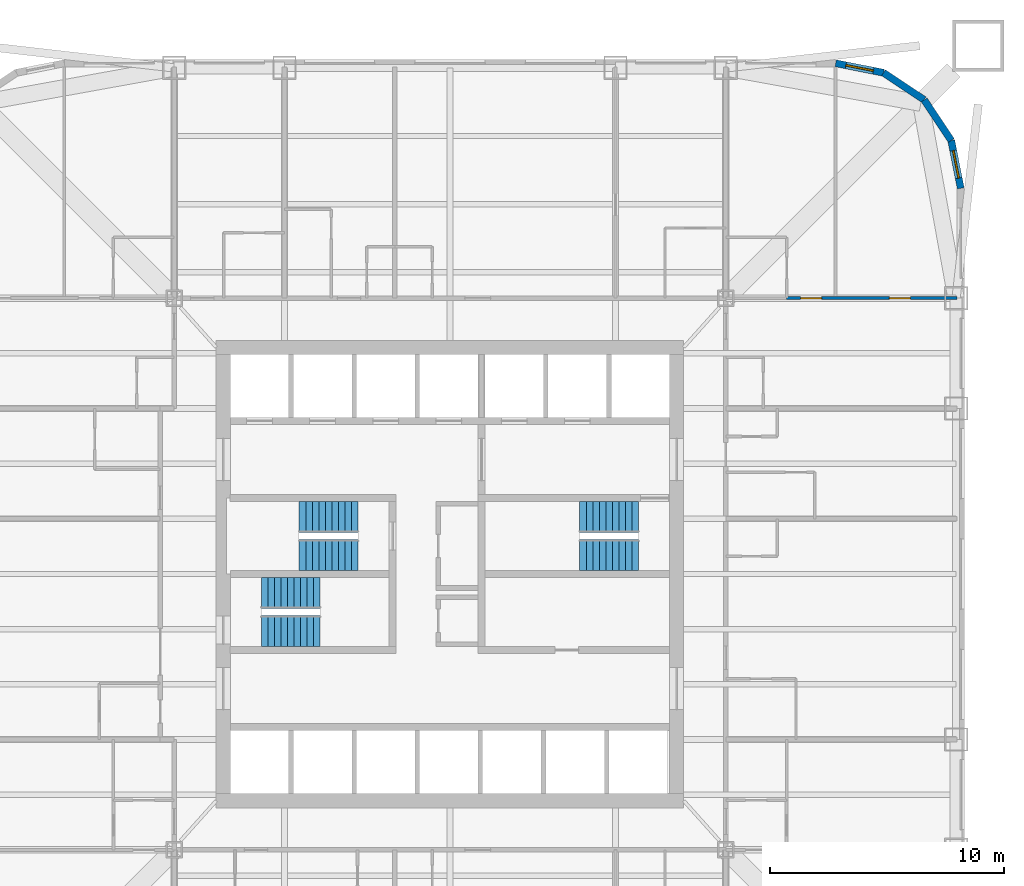
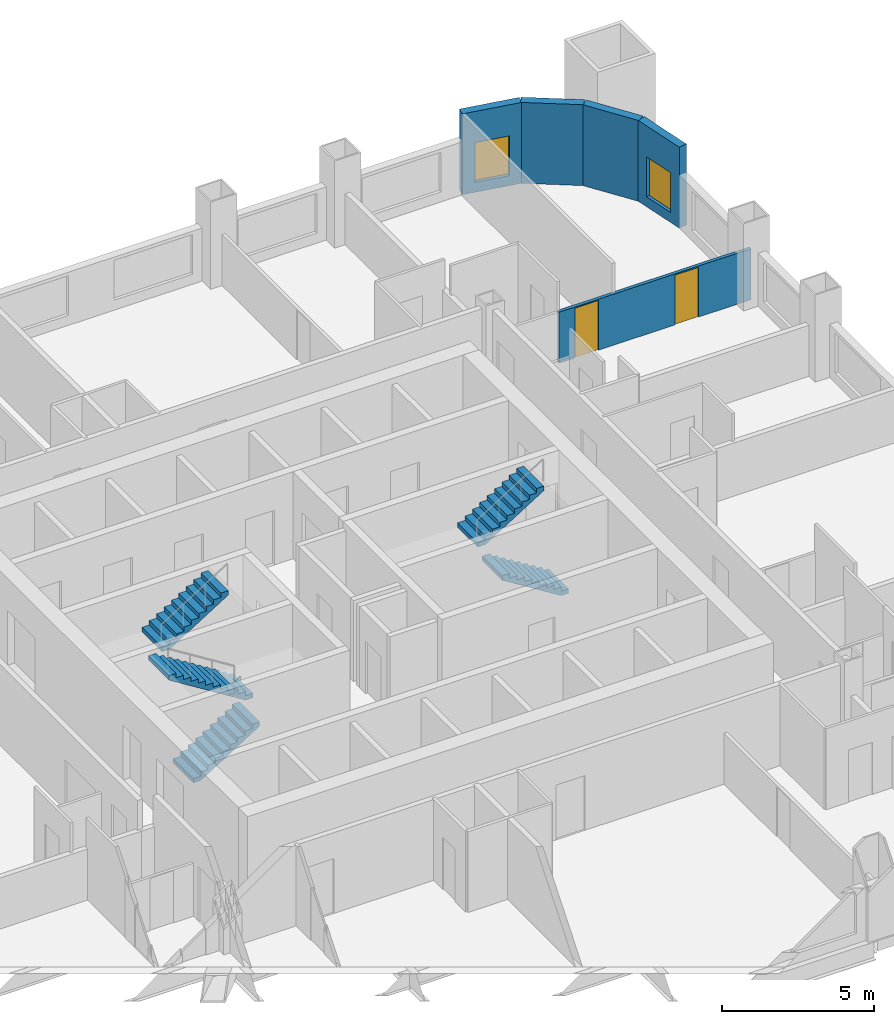
# One storey, part 8 of 9: 6 stair flights, 5 walls, 2 doors, 2 windows, 4 openings, 3 elements without a shape of their own.
"""IFC4 building model written with IfcOpenShell, lengths in metres."""

import ifcopenshell
import ifcopenshell.guid

model = None  # the IFC model being written
_history = None  # IfcOwnerHistory: only IFC2X3 demands one
_inside = {}  # id of a spatial element -> (the spatial element, [elements in it])
_under = {}  # id of a project, library or spatial element -> (it, [spatial elements below it])
_declared = {}  # id of a project -> (the project, [libraries it declares])
_typed = {}  # id of a type object -> (the type object, [elements of that type])
_made_of = {}  # id of a material, layer set ... -> (it, [elements and type objects made of it])


def new_model(schema):
    """Start an empty IFC model of exactly this schema.

    Asked for "IFC4X3", IfcOpenShell would pick the latest addendum, in which some entities
    have other attributes; the version numbers below select the first issue.
    IFC2X3 requires an IfcOwnerHistory on every rooted entity: one is made here for all.
    """
    global model, _history
    if schema == "IFC4X3":
        model = ifcopenshell.file(schema_version=(4, 3, 0, 0))
    else:
        model = ifcopenshell.file(schema=schema)
    _inside.clear()
    _under.clear()
    _declared.clear()
    _typed.clear()
    _made_of.clear()
    _history = None
    if model.schema == "IFC2X3":
        org = make("IfcOrganization", Name="unknown")
        user = make(
            "IfcPersonAndOrganization",
            ThePerson=make("IfcPerson", FamilyName="unknown"),
            TheOrganization=org,
        )
        app = make(
            "IfcApplication",
            ApplicationDeveloper=org,
            Version="unknown",
            ApplicationFullName="unknown",
            ApplicationIdentifier="unknown",
        )
        _history = make(
            "IfcOwnerHistory",
            OwningUser=user,
            OwningApplication=app,
            ChangeAction="ADDED",
            CreationDate=0,
        )
    return model


def make(cls, **values):
    """One entity of the class cls with the attributes given. An attribute that is None is left unset."""
    return model.create_entity(
        cls, **{name: value for name, value in values.items() if value is not None}
    )


def rooted(cls, **values):
    """An entity with a GlobalId (a new one), such as an element, a storey or a relation."""
    return make(cls, GlobalId=ifcopenshell.guid.new(), OwnerHistory=_history, **values)


def si_unit(unit_type, name, prefix=None):
    """IfcSIUnit, for example si_unit("LENGTHUNIT", "METRE", prefix="MILLI")."""
    return make("IfcSIUnit", UnitType=unit_type, Prefix=prefix, Name=name)


def assignment(units):
    """IfcUnitAssignment: the units of a project."""
    return None if units is None else make("IfcUnitAssignment", Units=units)


def point(xyz):
    """IfcCartesianPoint."""
    return None if xyz is None else make("IfcCartesianPoint", Coordinates=xyz)


def direction(xyz):
    """IfcDirection."""
    return None if xyz is None else make("IfcDirection", DirectionRatios=xyz)


def frame(location, z_axis=None, x_axis=None):
    """IfcAxis2Placement3D, a coordinate frame: its origin and axes. An axis left out is left unset."""
    return make(
        "IfcAxis2Placement3D",
        Location=point(location),
        Axis=direction(z_axis),
        RefDirection=direction(x_axis),
    )


def frame_2d(location, x_axis=None):
    """IfcAxis2Placement2D, a coordinate frame in the plane: its origin and x axis."""
    return make(
        "IfcAxis2Placement2D", Location=point(location), RefDirection=direction(x_axis)
    )


def origin():
    """The frame at (0, 0, 0) with its axes left unset."""
    return frame((0.0, 0.0, 0.0))


def place(relative_to, where):
    """IfcLocalPlacement: puts the frame where relative to a parent placement (None: the world)."""
    return make(
        "IfcLocalPlacement", PlacementRelTo=relative_to, RelativePlacement=where
    )


def context(
    kind, dimensions, precision=None, world=None, true_north=None, identifier=None
):
    """IfcGeometricRepresentationContext, for example the 3D "Model" context."""
    return make(
        "IfcGeometricRepresentationContext",
        ContextIdentifier=identifier,
        ContextType=kind,
        CoordinateSpaceDimension=dimensions,
        Precision=precision,
        WorldCoordinateSystem=world,
        TrueNorth=true_north,
    )


def subcontext(parent, identifier, kind, view, scale=None):
    """IfcGeometricRepresentationSubContext, for example "Body" below "Model"."""
    return make(
        "IfcGeometricRepresentationSubContext",
        ContextIdentifier=identifier,
        ContextType=kind,
        ParentContext=parent,
        TargetScale=scale,
        TargetView=view,
    )


def project(units=None, contexts=None):
    """IfcProject with its units and contexts."""
    return rooted(
        "IfcProject",
        Name="project",
        RepresentationContexts=contexts,
        UnitsInContext=assignment(units),
    )


def spatial(cls, under=None, at=None, **own):
    """A site, building, storey or space (cls), placed at a placement, below another one or the project."""
    s = rooted(cls, ObjectPlacement=at, **own)
    if under is not None:
        _under.setdefault(under.id(), (under, []))[1].append(s)
    return s


def polyline(points):
    """IfcPolyline through the points."""
    return make("IfcPolyline", Points=[point(p) for p in points])


def profile(cls, at=None, kind="AREA", **sizes):
    """A parametric profile (cls). Its sizes go by their IFC names, for example OverallWidth=200.0."""
    return make(cls, ProfileType=kind, Position=at, **sizes)


def rectangle(**sizes):
    """IfcRectangleProfileDef."""
    return profile("IfcRectangleProfileDef", **sizes)


def outline(outer, holes=None, kind="AREA"):
    """IfcArbitraryClosedProfileDef: a profile drawn as a closed curve; with holes, ...WithVoids."""
    if holes is None:
        return make("IfcArbitraryClosedProfileDef", ProfileType=kind, OuterCurve=outer)
    return make(
        "IfcArbitraryProfileDefWithVoids",
        ProfileType=kind,
        OuterCurve=outer,
        InnerCurves=holes,
    )


def extrude(swept, where, along, depth):
    """IfcExtrudedAreaSolid: the profile swept, set in the frame where, extruded along a direction by depth."""
    return make(
        "IfcExtrudedAreaSolid",
        SweptArea=swept,
        Position=where,
        ExtrudedDirection=direction(along),
        Depth=depth,
    )


def shape(context_of_items, identifier, shape_type, items):
    """IfcShapeRepresentation: the items that make up one representation, for example the "Body"."""
    return make(
        "IfcShapeRepresentation",
        ContextOfItems=context_of_items,
        RepresentationIdentifier=identifier,
        RepresentationType=shape_type,
        Items=items,
    )


def material(Name=None, Category=None):
    """IfcMaterial."""
    return make("IfcMaterial", Name=Name, Category=Category)


def layer(
    of_material, thickness, ventilated=None, Name=None, Category=None, Priority=None
):
    """IfcMaterialLayer: one layer of a wall or slab, of a material (None: an air gap)."""
    return make(
        "IfcMaterialLayer",
        Material=of_material,
        LayerThickness=thickness,
        IsVentilated=ventilated,
        Name=Name,
        Category=Category,
        Priority=Priority,
    )


def layer_set(layers, Name=None):
    """IfcMaterialLayerSet."""
    return make("IfcMaterialLayerSet", MaterialLayers=layers, LayerSetName=Name)


def made_of(thing, what):
    """Note that an element or type object is made of a material, layer set ...; save() writes the relation."""
    if what is not None:
        _made_of.setdefault(what.id(), (what, []))[1].append(thing)
    return thing


def type_object(cls, material=None, **own):
    """A type object (cls), such as IfcWallType, which elements share."""
    return made_of(rooted(cls, **own), material)


def element(
    cls,
    number,
    at=None,
    inside=None,
    cuts=None,
    type_object=None,
    material=None,
    context=None,
    identifier="Body",
    shape_type=None,
    held_by="IfcProductDefinitionShape",
    body=None,
    shapes=None,
    **own,
):
    """One element of the class cls, such as IfcWall. Its Tag is "e" and its number.

    at: its placement. inside: the storey or other place that contains it. cuts: it is an
    opening in that element (IfcRelVoidsElement). A single representation is given by context,
    identifier, shape_type and body (its items); several are given by shapes. held_by: the class
    of the entity that holds the representations. save() writes the other relations.
    """
    e = rooted(cls, Tag="e%d" % number, ObjectPlacement=at, **own)
    if body is not None:
        shapes = [shape(context, identifier, shape_type, body)]
    if shapes is not None:
        e.Representation = make(held_by, Representations=shapes)
    if inside is not None:
        _inside.setdefault(inside.id(), (inside, []))[1].append(e)
    if cuts is not None:
        rooted(
            "IfcRelVoidsElement", RelatingBuildingElement=cuts, RelatedOpeningElement=e
        )
    if type_object is not None:
        _typed.setdefault(type_object.id(), (type_object, []))[1].append(e)
    return made_of(e, material)


def fill(opening, filler):
    """IfcRelFillsElement: the door or window that sits in an opening."""
    return rooted(
        "IfcRelFillsElement",
        RelatingOpeningElement=opening,
        RelatedBuildingElement=filler,
    )


def aggregate(whole, parts):
    """IfcRelAggregates: a whole, such as a stair, and the parts it consists of."""
    return rooted("IfcRelAggregates", RelatingObject=whole, RelatedObjects=parts)


def save(model, path):
    """Write the relations noted so far, then the file.

    IfcRelAggregates (storeys below a building ...), IfcRelContainedInSpatialStructure (elements
    in a storey), IfcRelDefinesByType, IfcRelAssociatesMaterial and IfcRelDeclares: one each for
    every whole, place, type object, material and project.
    """
    for whole, parts in _under.values():
        aggregate(whole, parts)
    for where, things in _inside.values():
        rooted(
            "IfcRelContainedInSpatialStructure",
            RelatedElements=things,
            RelatingStructure=where,
        )
    for kind, things in _typed.values():
        rooted("IfcRelDefinesByType", RelatedObjects=things, RelatingType=kind)
    for what, things in _made_of.values():
        rooted("IfcRelAssociatesMaterial", RelatedObjects=things, RelatingMaterial=what)
    for by, libraries in _declared.values():
        rooted("IfcRelDeclares", RelatingContext=by, RelatedDefinitions=libraries)
    model.write(path)


model = new_model("IFC4")

# Units and contexts
model_context = context("Model", 3, precision=1e-05, world=origin(), true_north=direction((0.0, 1.0)))
body_context = subcontext(model_context, "Body", "Model", "MODEL_VIEW")
ifc_project = project(units=[si_unit("LENGTHUNIT", "METRE"), si_unit("AREAUNIT", "SQUARE_METRE"), si_unit("VOLUMEUNIT", "CUBIC_METRE"), si_unit("PLANEANGLEUNIT", "RADIAN"), si_unit("MASSUNIT", "GRAM", prefix="KILO")], contexts=[model_context])

# Site, building, storey
site_placement = place(None, origin())
site = spatial("IfcSite", under=ifc_project, at=site_placement, CompositionType="ELEMENT")
building_placement = place(site_placement, origin())
building = spatial("IfcBuilding", under=site, at=building_placement, Name="Turquesa Mirador Hotel Tower", CompositionType="ELEMENT")
storey_placement = place(building_placement, frame((0.0, 0.0, 84.5)))
storey = spatial("IfcBuildingStorey", under=building, at=storey_placement, Name="L22", CompositionType="ELEMENT", Elevation=84.5)

# Wall, opening, window
ifc_material_1 = material(Name="Limestone cladding on concrete block", Category="masonry")
ifc_layer_1 = layer(ifc_material_1, 0.300048828125)
ifc_layer_set_1 = layer_set([ifc_layer_1], Name="FACADE WALL 300 STONE SCREEN")
wall_type_1 = type_object("IfcWallType", Name="FACADE WALL 300 STONE SCREEN", PredefinedType="SOLIDWALL", material=ifc_layer_set_1)
wall_1_placement = place(storey_placement, frame((76.85009765625, 61.5, 0.0), z_axis=(0.0, 0.0, 1.0), x_axis=(-0.195081421501, 0.980787050784, 0.0)))
wall_1 = element("IfcWall", 1, at=wall_1_placement, inside=storey, type_object=wall_type_1, Name="Facade wall L22 05", PredefinedType="SOLIDWALL", context=body_context, shape_type="SweptSolid", body=[
    extrude(rectangle(XDim=2.08740234375, YDim=0.300048828125, at=frame_2d((1.043701171875, 0.0))), origin(), (0.0, 0.0, 1.0), 3.25),
])
opening_1_placement = place(wall_1_placement, frame((0.443603515625, 0.0, 0.39990234375)))
opening_1 = element("IfcOpeningElement", 2, at=opening_1_placement, cuts=wall_1, Name="Opening WN8", PredefinedType="OPENING", context=body_context, shape_type="SweptSolid", body=[
    extrude(rectangle(XDim=1.199951171875, YDim=1.60009765625, at=frame_2d((0.60009765625, 0.800048828125))), frame((0.0, 0.159912109375, 0.0), z_axis=(0.0, -1.0, 0.0), x_axis=(1.0, 0.0, 0.0)), (0.0, 0.0, 1.0), 0.320068359375),
])
ifc_material_2 = material(Name="Ceramic-fritted laminated glass", Category="glass")
window_type = type_object("IfcWindowType", Name="FRITTED CORNER WINDOW 1200X1600", PartitioningType="DOUBLE_PANEL_HORIZONTAL", PredefinedType="WINDOW", material=ifc_material_2)
window_1_placement = place(opening_1_placement, origin())
window_1 = element("IfcWindow", 3, at=window_1_placement, inside=storey, type_object=window_type, Name="Window L22", OverallHeight=1.60009765625, OverallWidth=1.199951171875, PartitioningType="SINGLE_PANEL", PredefinedType="WINDOW", context=body_context, shape_type="SweptSolid", body=[
    extrude(rectangle(XDim=1.199951171875, YDim=1.60009765625, at=frame_2d((0.60009765625, 0.800048828125))), frame((0.0, 0.030029296875, 0.0), z_axis=(0.0, -1.0, 0.0), x_axis=(1.0, 0.0, 0.0)), (0.0, 0.0, 1.0), 0.06005859375),
])
fill(opening_1, window_1)

# Walls
for number, where, z_axis, x_axis, name in (
    (4, (76.44287109375, 63.54736328125, 0.0), (0.0, 0.0, 1.0), (-0.555644460423, 0.831420010345, 0.0), "Facade wall L22 06"),
    (5, (75.282958984375, 65.282958984375, 0.0), (0.0, 0.0, 1.0), (-0.831420010345, 0.555644460423, 0.0), "Facade wall L22 07"),
):
    element("IfcWall", number, at=place(storey_placement, frame(where, z_axis=z_axis, x_axis=x_axis)), inside=storey, type_object=wall_type_1, Name=name, PredefinedType="SOLIDWALL", context=body_context, shape_type="SweptSolid", body=[
        extrude(rectangle(XDim=2.08740234375, YDim=0.300048828125, at=frame_2d((1.043701171875, 0.0))), origin(), (0.0, 0.0, 1.0), 3.25),
    ])

# Wall, opening, window
wall_2_placement = place(storey_placement, frame((73.54736328125, 66.44287109375, 0.0), z_axis=(0.0, 0.0, 1.0), x_axis=(-0.980787050784, 0.195081421501, 0.0)))
wall_2 = element("IfcWall", 6, at=wall_2_placement, inside=storey, type_object=wall_type_1, Name="Facade wall L22 08", PredefinedType="SOLIDWALL", context=body_context, shape_type="SweptSolid", body=[
    extrude(rectangle(XDim=2.08740234375, YDim=0.300048828125, at=frame_2d((1.043701171875, 0.0))), origin(), (0.0, 0.0, 1.0), 3.25),
])
opening_2_placement = place(wall_2_placement, frame((0.443603515625, 0.0, 0.39990234375)))
opening_2 = element("IfcOpeningElement", 7, at=opening_2_placement, cuts=wall_2, Name="Opening WN8", PredefinedType="OPENING", context=body_context, shape_type="SweptSolid", body=[
    extrude(rectangle(XDim=1.199951171875, YDim=1.60009765625, at=frame_2d((0.60009765625, 0.800048828125))), frame((0.0, 0.159912109375, 0.0), z_axis=(0.0, -1.0, 0.0), x_axis=(1.0, 0.0, 0.0)), (0.0, 0.0, 1.0), 0.320068359375),
])
window_2_placement = place(opening_2_placement, origin())
window_2 = element("IfcWindow", 8, at=window_2_placement, inside=storey, type_object=window_type, Name="Window L22", OverallHeight=1.60009765625, OverallWidth=1.199951171875, PartitioningType="SINGLE_PANEL", PredefinedType="WINDOW", context=body_context, shape_type="SweptSolid", body=[
    extrude(rectangle(XDim=1.199951171875, YDim=1.60009765625, at=frame_2d((0.60009765625, 0.800048828125))), frame((0.0, 0.030029296875, 0.0), z_axis=(0.0, -1.0, 0.0), x_axis=(1.0, 0.0, 0.0)), (0.0, 0.0, 1.0), 0.06005859375),
])
fill(opening_2, window_2)

# Wall, openings, doors
ifc_material_3 = material(Name="Acoustic gypsum board on steel studs", Category="steel")
ifc_layer_2 = layer(ifc_material_3, 0.125)
ifc_layer_set_2 = layer_set([ifc_layer_2], Name="SUITE PARTITION 125")
wall_type_2 = type_object("IfcWallType", Name="SUITE PARTITION 125", PredefinedType="PARTITIONING", material=ifc_layer_set_2)
wall_3_placement = place(storey_placement, frame((69.39990234375, 56.800048828125, 0.0), z_axis=(0.0, 0.0, 1.0), x_axis=(1.0, 0.0, 0.0)))
wall_3 = element("IfcWall", 9, at=wall_3_placement, inside=storey, type_object=wall_type_2, Name="Partition L22 022", PredefinedType="PARTITIONING", context=body_context, shape_type="SweptSolid", body=[
    extrude(rectangle(XDim=7.300048828125, YDim=0.125, at=frame_2d((3.64990234375, 0.0))), origin(), (0.0, 0.0, 1.0), 2.050048828125),
])
opening_3_placement = place(wall_3_placement, frame((0.60009765625, 0.0, 0.0)))
opening_3 = element("IfcOpeningElement", 10, at=opening_3_placement, cuts=wall_3, Name="Opening D24", PredefinedType="OPENING", context=body_context, shape_type="SweptSolid", body=[
    extrude(rectangle(XDim=0.89990234375, YDim=2.0, at=frame_2d((0.449951171875, 1.0))), frame((0.0, 0.072509765625, 0.0), z_axis=(0.0, -1.0, 0.0), x_axis=(1.0, 0.0, 0.0)), (0.0, 0.0, 1.0), 0.14501953125),
])
opening_4_placement = place(wall_3_placement, frame((4.39990234375, 0.0, 0.0)))
opening_4 = element("IfcOpeningElement", 11, at=opening_4_placement, cuts=wall_3, Name="Opening D24", PredefinedType="OPENING", context=body_context, shape_type="SweptSolid", body=[
    extrude(rectangle(XDim=0.89990234375, YDim=2.0, at=frame_2d((0.449951171875, 1.0))), frame((0.0, 0.072509765625, 0.0), z_axis=(0.0, -1.0, 0.0), x_axis=(1.0, 0.0, 0.0)), (0.0, 0.0, 1.0), 0.14501953125),
])
ifc_material_4 = material(Name="Timber veneered door", Category="wood")
door_type = type_object("IfcDoorType", Name="DOOR 900X2000 SUITE INTERNAL", OperationType="SINGLE_SWING_LEFT", PredefinedType="DOOR", material=ifc_material_4)
door_1_placement = place(opening_3_placement, origin())
door_1 = element("IfcDoor", 12, at=door_1_placement, inside=storey, type_object=door_type, Name="Door 2209R", OperationType="SINGLE_SWING_LEFT", OverallHeight=2.0, OverallWidth=0.89990234375, PredefinedType="DOOR", context=body_context, shape_type="SweptSolid", body=[
    extrude(rectangle(XDim=0.89990234375, YDim=2.0, at=frame_2d((0.449951171875, 1.0))), frame((0.0, 0.02490234375, 0.0), z_axis=(0.0, -1.0, 0.0), x_axis=(1.0, 0.0, 0.0)), (0.0, 0.0, 1.0), 0.050048828125),
])
fill(opening_3, door_1)
door_2_placement = place(opening_4_placement, origin())
door_2 = element("IfcDoor", 13, at=door_2_placement, inside=storey, type_object=door_type, Name="Door 2209S", OperationType="SINGLE_SWING_LEFT", OverallHeight=2.0, OverallWidth=0.89990234375, PredefinedType="DOOR", context=body_context, shape_type="SweptSolid", body=[
    extrude(rectangle(XDim=0.89990234375, YDim=2.0, at=frame_2d((0.449951171875, 1.0))), frame((0.0, 0.02490234375, 0.0), z_axis=(0.0, -1.0, 0.0), x_axis=(1.0, 0.0, 0.0)), (0.0, 0.0, 1.0), 0.050048828125),
])
fill(opening_4, door_2)

# Stair, stair flights
ifc_material_5 = material(Name="Concrete C35/45", Category="concrete")
stair_type = type_object("IfcStairType", Name="ESCAPE STAIR CORE", PredefinedType="HALF_TURN_STAIR", material=ifc_material_5)
stair_1_placement = place(storey_placement, origin())
stair_1 = element("IfcStair", 14, at=stair_1_placement, inside=storey, type_object=stair_type, Name="Stair ST1 L22 to L23", PredefinedType="HALF_TURN_STAIR")
ifc_material_6 = material(Name="Concrete C35/45 precast flight", Category="concrete")
stair_flight_type = type_object("IfcStairFlightType", Name="STAIR FLIGHT 1330", PredefinedType="STRAIGHT", material=ifc_material_6)
stair_flight_1_placement = place(storey_placement, frame((51.070068359375, 45.81494140625, 0.0), z_axis=(0.0, 0.0, 1.0), x_axis=(-1.0, 0.0, 0.0)))
stair_flight_1 = element("IfcStairFlight", 15, at=stair_flight_1_placement, type_object=stair_flight_type, Name="ST1 flight 1", NumberOfRisers=10, NumberOfTreads=9, PredefinedType="STRAIGHT", RiserHeight=0.175, TreadLength=0.28, context=body_context, shape_type="SweptSolid", body=[
    extrude(outline(polyline([(0.0, 0.0), (0.0, 0.175048828125), (0.280029296875, 0.175048828125), (0.280029296875, 0.35009765625), (0.56005859375, 0.35009765625), (0.56005859375, 0.52490234375), (0.840087890625, 0.52490234375), (0.840087890625, 0.699951171875), (1.1201171875, 0.699951171875), (1.1201171875, 0.875), (1.39990234375, 0.875), (1.39990234375, 1.050048828125), (1.679931640625, 1.050048828125), (1.679931640625, 1.22509765625), (1.9599609375, 1.22509765625), (1.9599609375, 1.39990234375), (2.239990234375, 1.39990234375), (2.239990234375, 1.574951171875), (2.52001953125, 1.574951171875), (2.52001953125, 1.75), (2.52001953125, 1.398193359375), (0.28271484375, 0.0), (0.0, 0.0)])), frame((0.0, 0.6650390625, 0.0), z_axis=(0.0, -1.0, 0.0), x_axis=(1.0, 0.0, 0.0)), (0.0, 0.0, 1.0), 1.330078125),
])
stair_flight_2_placement = place(storey_placement, frame((48.550048828125, 47.43505859375, 1.75), z_axis=(0.0, 0.0, 1.0), x_axis=(1.0, 0.0, 0.0)))
stair_flight_2 = element("IfcStairFlight", 16, at=stair_flight_2_placement, type_object=stair_flight_type, Name="ST1 flight 2", NumberOfRisers=10, NumberOfTreads=9, PredefinedType="STRAIGHT", RiserHeight=0.175, TreadLength=0.28, context=body_context, shape_type="SweptSolid", body=[
    extrude(outline(polyline([(0.0, 0.0), (0.0, 0.175048828125), (0.280029296875, 0.175048828125), (0.280029296875, 0.35009765625), (0.56005859375, 0.35009765625), (0.56005859375, 0.52490234375), (0.840087890625, 0.52490234375), (0.840087890625, 0.699951171875), (1.1201171875, 0.699951171875), (1.1201171875, 0.875), (1.39990234375, 0.875), (1.39990234375, 1.050048828125), (1.679931640625, 1.050048828125), (1.679931640625, 1.22509765625), (1.9599609375, 1.22509765625), (1.9599609375, 1.39990234375), (2.239990234375, 1.39990234375), (2.239990234375, 1.574951171875), (2.52001953125, 1.574951171875), (2.52001953125, 1.75), (2.52001953125, 1.398193359375), (0.28271484375, 0.0), (0.0, 0.0)])), frame((0.0, 0.6650390625, 0.0), z_axis=(0.0, -1.0, 0.0), x_axis=(1.0, 0.0, 0.0)), (0.0, 0.0, 1.0), 1.330078125),
])
aggregate(stair_1, [stair_flight_1, stair_flight_2])

stair_2_placement = place(storey_placement, origin())
stair_2 = element("IfcStair", 17, at=stair_2_placement, inside=storey, type_object=stair_type, Name="Stair ST2 L22 to L23", PredefinedType="HALF_TURN_STAIR")
stair_flight_3_placement = place(storey_placement, frame((46.929931640625, 42.56494140625, 0.0), z_axis=(0.0, 0.0, 1.0), x_axis=(1.0, 0.0, 0.0)))
stair_flight_3 = element("IfcStairFlight", 18, at=stair_flight_3_placement, type_object=stair_flight_type, Name="ST2 flight 1", NumberOfRisers=10, NumberOfTreads=9, PredefinedType="STRAIGHT", RiserHeight=0.175, TreadLength=0.28, context=body_context, shape_type="SweptSolid", body=[
    extrude(outline(polyline([(0.0, 0.0), (0.0, 0.175048828125), (0.280029296875, 0.175048828125), (0.280029296875, 0.35009765625), (0.56005859375, 0.35009765625), (0.56005859375, 0.52490234375), (0.840087890625, 0.52490234375), (0.840087890625, 0.699951171875), (1.1201171875, 0.699951171875), (1.1201171875, 0.875), (1.39990234375, 0.875), (1.39990234375, 1.050048828125), (1.679931640625, 1.050048828125), (1.679931640625, 1.22509765625), (1.9599609375, 1.22509765625), (1.9599609375, 1.39990234375), (2.239990234375, 1.39990234375), (2.239990234375, 1.574951171875), (2.52001953125, 1.574951171875), (2.52001953125, 1.75), (2.52001953125, 1.398193359375), (0.28271484375, 0.0), (0.0, 0.0)])), frame((0.0, 0.6650390625, 0.0), z_axis=(0.0, -1.0, 0.0), x_axis=(1.0, 0.0, 0.0)), (0.0, 0.0, 1.0), 1.330078125),
])
stair_flight_4_placement = place(storey_placement, frame((49.449951171875, 44.18505859375, 1.75), z_axis=(0.0, 0.0, 1.0), x_axis=(-1.0, 0.0, 0.0)))
stair_flight_4 = element("IfcStairFlight", 19, at=stair_flight_4_placement, type_object=stair_flight_type, Name="ST2 flight 2", NumberOfRisers=10, NumberOfTreads=9, PredefinedType="STRAIGHT", RiserHeight=0.175, TreadLength=0.28, context=body_context, shape_type="SweptSolid", body=[
    extrude(outline(polyline([(0.0, 0.0), (0.0, 0.175048828125), (0.280029296875, 0.175048828125), (0.280029296875, 0.35009765625), (0.56005859375, 0.35009765625), (0.56005859375, 0.52490234375), (0.840087890625, 0.52490234375), (0.840087890625, 0.699951171875), (1.1201171875, 0.699951171875), (1.1201171875, 0.875), (1.39990234375, 0.875), (1.39990234375, 1.050048828125), (1.679931640625, 1.050048828125), (1.679931640625, 1.22509765625), (1.9599609375, 1.22509765625), (1.9599609375, 1.39990234375), (2.239990234375, 1.39990234375), (2.239990234375, 1.574951171875), (2.52001953125, 1.574951171875), (2.52001953125, 1.75), (2.52001953125, 1.398193359375), (0.28271484375, 0.0), (0.0, 0.0)])), frame((0.0, 0.6650390625, 0.0), z_axis=(0.0, -1.0, 0.0), x_axis=(1.0, 0.0, 0.0)), (0.0, 0.0, 1.0), 1.330078125),
])
aggregate(stair_2, [stair_flight_3, stair_flight_4])

stair_3_placement = place(storey_placement, origin())
stair_3 = element("IfcStair", 20, at=stair_3_placement, inside=storey, type_object=stair_type, Name="Stair ST3 L22 to L23", PredefinedType="HALF_TURN_STAIR")
stair_flight_5_placement = place(storey_placement, frame((63.070068359375, 45.81494140625, 0.0), z_axis=(0.0, 0.0, 1.0), x_axis=(-1.0, 0.0, 0.0)))
stair_flight_5 = element("IfcStairFlight", 21, at=stair_flight_5_placement, type_object=stair_flight_type, Name="ST3 flight 1", NumberOfRisers=10, NumberOfTreads=9, PredefinedType="STRAIGHT", RiserHeight=0.175, TreadLength=0.28, context=body_context, shape_type="SweptSolid", body=[
    extrude(outline(polyline([(0.0, 0.0), (0.0, 0.175048828125), (0.280029296875, 0.175048828125), (0.280029296875, 0.35009765625), (0.56005859375, 0.35009765625), (0.56005859375, 0.52490234375), (0.840087890625, 0.52490234375), (0.840087890625, 0.699951171875), (1.1201171875, 0.699951171875), (1.1201171875, 0.875), (1.39990234375, 0.875), (1.39990234375, 1.050048828125), (1.679931640625, 1.050048828125), (1.679931640625, 1.22509765625), (1.9599609375, 1.22509765625), (1.9599609375, 1.39990234375), (2.239990234375, 1.39990234375), (2.239990234375, 1.574951171875), (2.52001953125, 1.574951171875), (2.52001953125, 1.75), (2.52001953125, 1.398193359375), (0.28271484375, 0.0), (0.0, 0.0)])), frame((0.0, 0.6650390625, 0.0), z_axis=(0.0, -1.0, 0.0), x_axis=(1.0, 0.0, 0.0)), (0.0, 0.0, 1.0), 1.330078125),
])
stair_flight_6_placement = place(storey_placement, frame((60.550048828125, 47.43505859375, 1.75), z_axis=(0.0, 0.0, 1.0), x_axis=(1.0, 0.0, 0.0)))
stair_flight_6 = element("IfcStairFlight", 22, at=stair_flight_6_placement, type_object=stair_flight_type, Name="ST3 flight 2", NumberOfRisers=10, NumberOfTreads=9, PredefinedType="STRAIGHT", RiserHeight=0.175, TreadLength=0.28, context=body_context, shape_type="SweptSolid", body=[
    extrude(outline(polyline([(0.0, 0.0), (0.0, 0.175048828125), (0.280029296875, 0.175048828125), (0.280029296875, 0.35009765625), (0.56005859375, 0.35009765625), (0.56005859375, 0.52490234375), (0.840087890625, 0.52490234375), (0.840087890625, 0.699951171875), (1.1201171875, 0.699951171875), (1.1201171875, 0.875), (1.39990234375, 0.875), (1.39990234375, 1.050048828125), (1.679931640625, 1.050048828125), (1.679931640625, 1.22509765625), (1.9599609375, 1.22509765625), (1.9599609375, 1.39990234375), (2.239990234375, 1.39990234375), (2.239990234375, 1.574951171875), (2.52001953125, 1.574951171875), (2.52001953125, 1.75), (2.52001953125, 1.398193359375), (0.28271484375, 0.0), (0.0, 0.0)])), frame((0.0, 0.6650390625, 0.0), z_axis=(0.0, -1.0, 0.0), x_axis=(1.0, 0.0, 0.0)), (0.0, 0.0, 1.0), 1.330078125),
])
aggregate(stair_3, [stair_flight_5, stair_flight_6])

save(model, "model.ifc")
